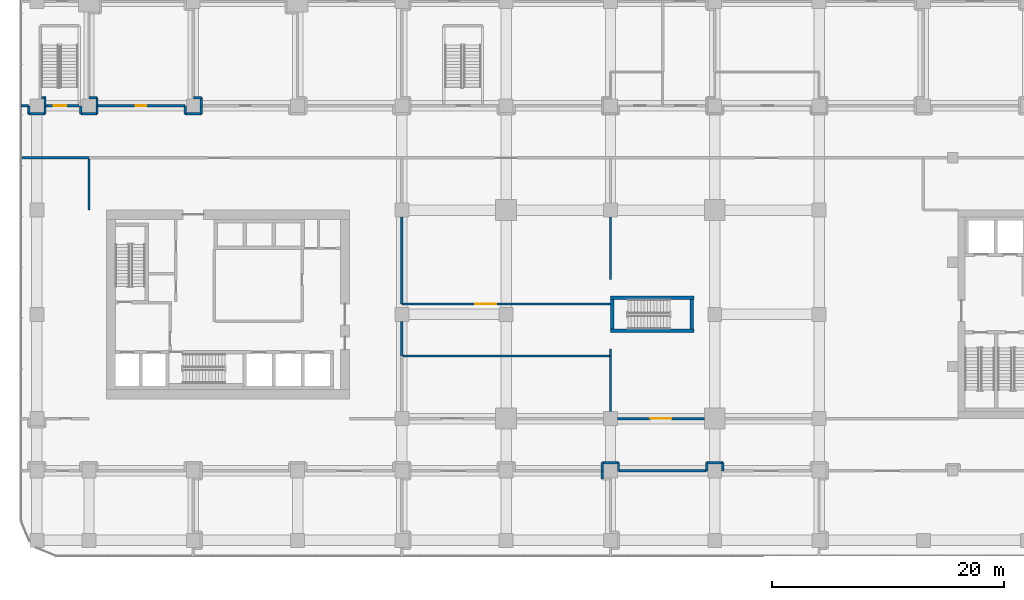
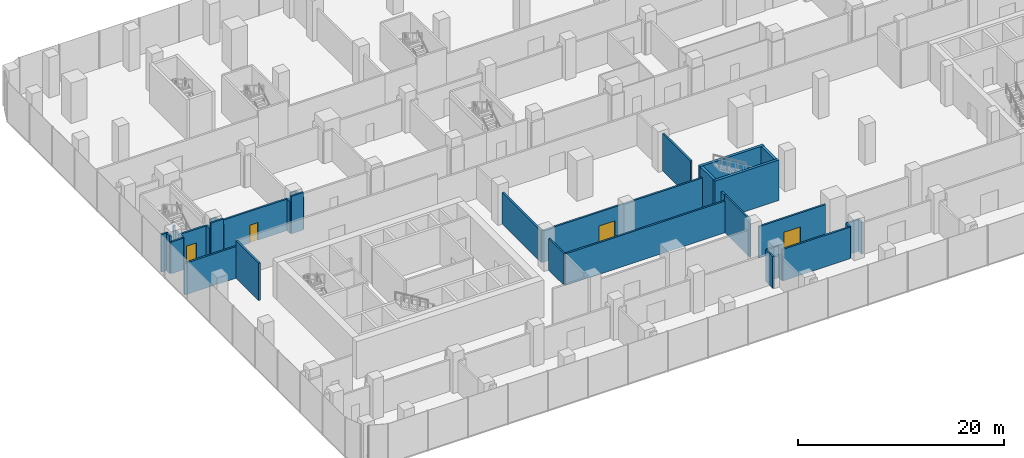
# One storey, part 30 of 42: 40 walls, 4 doors, 4 openings.
"""IFC4 building model written with IfcOpenShell, lengths in metres."""

from ifc_helpers import new_model, si_unit, direction, frame, frame_2d, origin, place, context, subcontext, project, spatial, rectangle, extrude, material, layer, layer_set, type_object, element, fill, save


model = new_model("IFC4")

# Units and contexts
model_context = context("Model", 3, precision=1e-05, world=origin(), true_north=direction((0.0, 1.0)))
body_context = subcontext(model_context, "Body", "Model", "MODEL_VIEW")
ifc_project = project(units=[si_unit("LENGTHUNIT", "METRE"), si_unit("AREAUNIT", "SQUARE_METRE"), si_unit("VOLUMEUNIT", "CUBIC_METRE"), si_unit("PLANEANGLEUNIT", "RADIAN"), si_unit("MASSUNIT", "GRAM", prefix="KILO")], contexts=[model_context])

# Site, building, storey
site_placement = place(None, origin())
site = spatial("IfcSite", under=ifc_project, at=site_placement, CompositionType="ELEMENT")
building_placement = place(site_placement, origin())
building = spatial("IfcBuilding", under=site, at=building_placement, Name="Plateau Cross Towers", CompositionType="ELEMENT")
storey_placement = place(building_placement, frame((0.0, 0.0, 8.0)))
storey = spatial("IfcBuildingStorey", under=building, at=storey_placement, Name="L01", CompositionType="ELEMENT", Elevation=8.0)

# Wall, opening, door
ifc_material_1 = material(Name="Gypsum board on steel studs", Category="steel")
ifc_layer_1 = layer(ifc_material_1, 0.199951171875)
ifc_layer_set_1 = layer_set([ifc_layer_1], Name="Gypsum board on steel studs")
wall_type_1 = type_object("IfcWallType", Name="Podium partition 200", PredefinedType="PARTITIONING", material=ifc_layer_set_1)
wall_1_placement = place(storey_placement, frame((45.60009765625, 0.0, 0.0), z_axis=(0.0, 0.0, 1.0), x_axis=(1.0, 0.0, 0.0)))
wall_1 = element("IfcWall", 1, at=wall_1_placement, inside=storey, type_object=wall_type_1, Name="Partition wall", PredefinedType="PARTITIONING", context=body_context, shape_type="SweptSolid", body=[
    extrude(rectangle(XDim=7.5, YDim=0.199951171875, at=frame_2d((3.75, 0.0))), origin(), (0.0, 0.0, 1.0), 3.75),
])
opening_1_placement = place(wall_1_placement, frame((2.85009765625, 0.0, 0.0)))
opening_1 = element("IfcOpeningElement", 2, at=opening_1_placement, cuts=wall_1, Name="Opening 01-26", PredefinedType="OPENING", context=body_context, shape_type="SweptSolid", body=[
    extrude(rectangle(XDim=1.800048828125, YDim=2.10009765625, at=frame_2d((0.89990234375, 1.050048828125))), frame((0.0, 0.10986328125, 0.0), z_axis=(0.0, -1.0, 0.0), x_axis=(1.0, 0.0, 0.0)), (0.0, 0.0, 1.0), 0.219970703125),
])
ifc_material_2 = material(Name="Aluminium frame, toughened glass", Category="aluminium")
door_type_1 = type_object("IfcDoorType", Name="Podium door pair 1800", OperationType="NOTDEFINED", PredefinedType="DOOR", material=ifc_material_2)
door_1_placement = place(opening_1_placement, origin())
door_1 = element("IfcDoor", 3, at=door_1_placement, inside=storey, type_object=door_type_1, Name="Door 01-26", OperationType="DOUBLE_DOOR_SINGLE_SWING", OverallHeight=2.10009765625, OverallWidth=1.800048828125, PredefinedType="DOOR", context=body_context, shape_type="SweptSolid", body=[
    extrude(rectangle(XDim=1.800048828125, YDim=2.10009765625, at=frame_2d((0.89990234375, 1.050048828125))), frame((0.0, 0.02490234375, 0.0), z_axis=(0.0, -1.0, 0.0), x_axis=(1.0, 0.0, 0.0)), (0.0, 0.0, 1.0), 0.050048828125),
])
fill(opening_1, door_1)

# Walls
wall_2_placement = place(storey_placement, frame((54.699951171875, -4.5, 0.0), z_axis=(0.0, 0.0, 1.0), x_axis=(0.0, 1.0, 0.0)))
element("IfcWall", 4, at=wall_2_placement, inside=storey, type_object=wall_type_1, Name="Partition wall", PredefinedType="PARTITIONING", context=body_context, shape_type="SweptSolid", body=[
    extrude(rectangle(XDim=0.699951171875, YDim=0.199951171875, at=frame_2d((0.35009765625, 0.0))), origin(), (0.0, 0.0, 1.0), 3.75),
])
wall_3_placement = place(storey_placement, frame((54.699951171875, -3.800048828125, 0.0), z_axis=(0.0, 0.0, 1.0), x_axis=(-1.0, 0.0, 0.0)))
element("IfcWall", 5, at=wall_3_placement, inside=storey, type_object=wall_type_1, Name="Partition wall", PredefinedType="PARTITIONING", context=body_context, shape_type="SweptSolid", body=[
    extrude(rectangle(XDim=1.39990234375, YDim=0.199951171875, at=frame_2d((0.699951171875, 0.0))), origin(), (0.0, 0.0, 1.0), 3.75),
])
wall_4_placement = place(storey_placement, frame((53.300048828125, -3.800048828125, 0.0), z_axis=(0.0, 0.0, 1.0), x_axis=(0.0, -1.0, 0.0)))
element("IfcWall", 6, at=wall_4_placement, inside=storey, type_object=wall_type_1, Name="Partition wall", PredefinedType="PARTITIONING", context=body_context, shape_type="SweptSolid", body=[
    extrude(rectangle(XDim=0.699951171875, YDim=0.199951171875, at=frame_2d((0.35009765625, 0.0))), origin(), (0.0, 0.0, 1.0), 3.75),
])
wall_5_placement = place(storey_placement, frame((53.300048828125, -4.5, 0.0), z_axis=(0.0, 0.0, 1.0), x_axis=(-1.0, 0.0, 0.0)))
element("IfcWall", 7, at=wall_5_placement, inside=storey, type_object=wall_type_1, Name="Partition wall", PredefinedType="PARTITIONING", context=body_context, shape_type="SweptSolid", body=[
    extrude(rectangle(XDim=7.60009765625, YDim=0.199951171875, at=frame_2d((3.800048828125, 0.0))), origin(), (0.0, 0.0, 1.0), 3.75),
])
wall_6_placement = place(storey_placement, frame((45.699951171875, -4.5, 0.0), z_axis=(0.0, 0.0, 1.0), x_axis=(0.0, 1.0, 0.0)))
element("IfcWall", 8, at=wall_6_placement, inside=storey, type_object=wall_type_1, Name="Partition wall", PredefinedType="PARTITIONING", context=body_context, shape_type="SweptSolid", body=[
    extrude(rectangle(XDim=0.699951171875, YDim=0.199951171875, at=frame_2d((0.35009765625, 0.0))), origin(), (0.0, 0.0, 1.0), 3.75),
])
wall_7_placement = place(storey_placement, frame((45.699951171875, -3.800048828125, 0.0), z_axis=(0.0, 0.0, 1.0), x_axis=(-1.0, 0.0, 0.0)))
element("IfcWall", 9, at=wall_7_placement, inside=storey, type_object=wall_type_1, Name="Partition wall", PredefinedType="PARTITIONING", context=body_context, shape_type="SweptSolid", body=[
    extrude(rectangle(XDim=1.39990234375, YDim=0.199951171875, at=frame_2d((0.699951171875, 0.0))), origin(), (0.0, 0.0, 1.0), 3.75),
])
wall_8_placement = place(storey_placement, frame((44.300048828125, -3.800048828125, 0.0), z_axis=(0.0, 0.0, 1.0), x_axis=(0.0, -1.0, 0.0)))
element("IfcWall", 10, at=wall_8_placement, inside=storey, type_object=wall_type_1, Name="Partition wall", PredefinedType="PARTITIONING", context=body_context, shape_type="SweptSolid", body=[
    extrude(rectangle(XDim=0.699951171875, YDim=0.199951171875, at=frame_2d((0.35009765625, 0.0))), origin(), (0.0, 0.0, 1.0), 3.75),
])

# Wall, opening, door
wall_9_placement = place(storey_placement, frame((27.0, 9.89990234375, 0.0), z_axis=(0.0, 0.0, 1.0), x_axis=(1.0, 0.0, 0.0)))
wall_9 = element("IfcWall", 11, at=wall_9_placement, inside=storey, type_object=wall_type_1, Name="Partition wall", PredefinedType="PARTITIONING", context=body_context, shape_type="SweptSolid", body=[
    extrude(rectangle(XDim=18.0, YDim=0.199951171875, at=frame_2d((9.0, 0.0))), origin(), (0.0, 0.0, 1.0), 3.75),
])
opening_2_placement = place(wall_9_placement, frame((6.35009765625, 0.0, 0.0)))
opening_2 = element("IfcOpeningElement", 12, at=opening_2_placement, cuts=wall_9, Name="Opening 01-37", PredefinedType="OPENING", context=body_context, shape_type="SweptSolid", body=[
    extrude(rectangle(XDim=1.800048828125, YDim=2.10009765625, at=frame_2d((0.89990234375, 1.050048828125))), frame((0.0, 0.10986328125, 0.0), z_axis=(0.0, -1.0, 0.0), x_axis=(1.0, 0.0, 0.0)), (0.0, 0.0, 1.0), 0.219970703125),
])
door_2_placement = place(opening_2_placement, origin())
door_2 = element("IfcDoor", 13, at=door_2_placement, inside=storey, type_object=door_type_1, Name="Door 01-37", OperationType="DOUBLE_DOOR_SINGLE_SWING", OverallHeight=2.10009765625, OverallWidth=1.800048828125, PredefinedType="DOOR", context=body_context, shape_type="SweptSolid", body=[
    extrude(rectangle(XDim=1.800048828125, YDim=2.10009765625, at=frame_2d((0.89990234375, 1.050048828125))), frame((0.0, 0.02490234375, 0.0), z_axis=(0.0, -1.0, 0.0), x_axis=(1.0, 0.0, 0.0)), (0.0, 0.0, 1.0), 0.050048828125),
])
fill(opening_2, door_2)

# Walls
wall_10_placement = place(storey_placement, frame((45.0, 5.39990234375, 0.0), z_axis=(0.0, 0.0, 1.0), x_axis=(-1.0, 0.0, 0.0)))
element("IfcWall", 14, at=wall_10_placement, inside=storey, type_object=wall_type_1, Name="Partition wall", PredefinedType="PARTITIONING", context=body_context, shape_type="SweptSolid", body=[
    extrude(rectangle(XDim=18.0, YDim=0.199951171875, at=frame_2d((9.0, 0.0))), origin(), (0.0, 0.0, 1.0), 3.75),
])
wall_11_placement = place(storey_placement, frame((27.0, 17.39990234375, 0.0), z_axis=(0.0, 0.0, 1.0), x_axis=(0.0, -1.0, 0.0)))
element("IfcWall", 15, at=wall_11_placement, inside=storey, type_object=wall_type_1, Name="Partition wall", PredefinedType="PARTITIONING", context=body_context, shape_type="SweptSolid", body=[
    extrude(rectangle(XDim=7.5, YDim=0.199951171875, at=frame_2d((3.75, 0.0))), origin(), (0.0, 0.0, 1.0), 3.75),
])
for number, where, z_axis, x_axis, name in (
    (16, (0.0, 27.699951171875, 0.0), (0.0, 0.0, 1.0), (1.0, 0.0, 0.0), "Partition wall"),
    (17, (0.699951171875, 27.699951171875, 0.0), (0.0, 0.0, 1.0), (0.0, -1.0, 0.0), "Partition wall"),
):
    element("IfcWall", number, at=place(storey_placement, frame(where, z_axis=z_axis, x_axis=x_axis)), inside=storey, type_object=wall_type_1, Name=name, PredefinedType="PARTITIONING", context=body_context, shape_type="SweptSolid", body=[
        extrude(rectangle(XDim=0.699951171875, YDim=0.199951171875, at=frame_2d((0.35009765625, 0.0))), origin(), (0.0, 0.0, 1.0), 3.75),
    ])
wall_12_placement = place(storey_placement, frame((45.0, 17.39990234375, 0.0), z_axis=(0.0, 0.0, 1.0), x_axis=(0.0, -1.0, 0.0)))
element("IfcWall", 18, at=wall_12_placement, inside=storey, type_object=wall_type_1, Name="Partition wall", PredefinedType="PARTITIONING", context=body_context, shape_type="SweptSolid", body=[
    extrude(rectangle(XDim=5.39990234375, YDim=0.199951171875, at=frame_2d((2.699951171875, 0.0))), origin(), (0.0, 0.0, 1.0), 4.449951171875),
])

# Wall, opening, door
wall_13_placement = place(storey_placement, frame((0.699951171875, 27.0, 0.0), z_axis=(0.0, 0.0, 1.0), x_axis=(1.0, 0.0, 0.0)))
wall_13 = element("IfcWall", 19, at=wall_13_placement, inside=storey, type_object=wall_type_1, Name="Partition wall", PredefinedType="PARTITIONING", context=body_context, shape_type="SweptSolid", body=[
    extrude(rectangle(XDim=7.60009765625, YDim=0.199951171875, at=frame_2d((3.800048828125, 0.0))), origin(), (0.0, 0.0, 1.0), 3.75),
])
opening_3_placement = place(wall_13_placement, frame((3.35009765625, 0.0, 0.0)))
opening_3 = element("IfcOpeningElement", 20, at=opening_3_placement, cuts=wall_13, Name="Opening 01-14", PredefinedType="OPENING", context=body_context, shape_type="SweptSolid", body=[
    extrude(rectangle(XDim=0.89990234375, YDim=2.10009765625, at=frame_2d((0.449951171875, 1.050048828125))), frame((0.0, 0.10986328125, 0.0), z_axis=(0.0, -1.0, 0.0), x_axis=(1.0, 0.0, 0.0)), (0.0, 0.0, 1.0), 0.219970703125),
])
ifc_material_3 = material(Name="Timber leaf", Category="wood")
door_type_2 = type_object("IfcDoorType", Name="Podium room door 900", OperationType="NOTDEFINED", PredefinedType="DOOR", material=ifc_material_3)
door_3_placement = place(opening_3_placement, origin())
door_3 = element("IfcDoor", 21, at=door_3_placement, inside=storey, type_object=door_type_2, Name="Door 01-14", OperationType="SINGLE_SWING_LEFT", OverallHeight=2.10009765625, OverallWidth=0.89990234375, PredefinedType="DOOR", context=body_context, shape_type="SweptSolid", body=[
    extrude(rectangle(XDim=0.89990234375, YDim=2.10009765625, at=frame_2d((0.449951171875, 1.050048828125))), frame((0.0, 0.02490234375, 0.0), z_axis=(0.0, -1.0, 0.0), x_axis=(1.0, 0.0, 0.0)), (0.0, 0.0, 1.0), 0.050048828125),
])
fill(opening_3, door_3)

# Walls
wall_14_placement = place(storey_placement, frame((8.300048828125, 27.0, 0.0), z_axis=(0.0, 0.0, 1.0), x_axis=(0.0, -1.0, 0.0)))
element("IfcWall", 22, at=wall_14_placement, inside=storey, type_object=wall_type_1, Name="Partition wall", PredefinedType="PARTITIONING", context=body_context, shape_type="SweptSolid", body=[
    extrude(rectangle(XDim=0.699951171875, YDim=0.199951171875, at=frame_2d((0.35009765625, 0.0))), origin(), (0.0, 0.0, 1.0), 3.75),
])
wall_15_placement = place(storey_placement, frame((8.300048828125, 26.300048828125, 0.0), z_axis=(0.0, 0.0, 1.0), x_axis=(1.0, 0.0, 0.0)))
element("IfcWall", 23, at=wall_15_placement, inside=storey, type_object=wall_type_1, Name="Partition wall", PredefinedType="PARTITIONING", context=body_context, shape_type="SweptSolid", body=[
    extrude(rectangle(XDim=1.39990234375, YDim=0.199951171875, at=frame_2d((0.699951171875, 0.0))), origin(), (0.0, 0.0, 1.0), 4.449951171875),
])
for number, where, z_axis, x_axis, name in (
    (24, (9.699951171875, 26.300048828125, 0.0), (0.0, 0.0, 1.0), (0.0, 1.0, 0.0), "Partition wall"),
    (25, (44.300048828125, -4.5, 0.0), (0.0, 0.0, 1.0), (0.0, -1.0, 0.0), "Partition wall"),
):
    element("IfcWall", number, at=place(storey_placement, frame(where, z_axis=z_axis, x_axis=x_axis)), inside=storey, type_object=wall_type_1, Name=name, PredefinedType="PARTITIONING", context=body_context, shape_type="SweptSolid", body=[
        extrude(rectangle(XDim=0.699951171875, YDim=0.199951171875, at=frame_2d((0.35009765625, 0.0))), origin(), (0.0, 0.0, 1.0), 3.75),
    ])
wall_16_placement = place(storey_placement, frame((0.0, 22.5, 0.0), z_axis=(0.0, 0.0, 1.0), x_axis=(-1.0, 0.0, 0.0)))
element("IfcWall", 26, at=wall_16_placement, inside=storey, type_object=wall_type_1, Name="Partition wall", PredefinedType="PARTITIONING", context=body_context, shape_type="SweptSolid", body=[
    extrude(rectangle(XDim=5.85009765625, YDim=0.199951171875, at=frame_2d((2.925048828125, 0.0))), origin(), (0.0, 0.0, 1.0), 3.75),
])
wall_17_placement = place(storey_placement, frame((45.0, 5.39990234375, 0.0), z_axis=(0.0, 0.0, 1.0), x_axis=(0.0, -1.0, 0.0)))
element("IfcWall", 27, at=wall_17_placement, inside=storey, type_object=wall_type_1, Name="Partition wall", PredefinedType="PARTITIONING", context=body_context, shape_type="SweptSolid", body=[
    extrude(rectangle(XDim=4.7998046875, YDim=0.199951171875, at=frame_2d((2.39990234375, 0.0))), origin(), (0.0, 0.0, 1.0), 4.449951171875),
])
wall_18_placement = place(storey_placement, frame((27.0, 8.39990234375, 0.0), z_axis=(0.0, 0.0, 1.0), x_axis=(0.0, -1.0, 0.0)))
element("IfcWall", 28, at=wall_18_placement, inside=storey, type_object=wall_type_1, Name="Partition wall", PredefinedType="PARTITIONING", context=body_context, shape_type="SweptSolid", body=[
    extrude(rectangle(XDim=3.0, YDim=0.199951171875, at=frame_2d((1.5, 0.0))), origin(), (0.0, 0.0, 1.0), 3.75),
])
wall_19_placement = place(storey_placement, frame((0.0, 18.0, 0.0), z_axis=(0.0, 0.0, 1.0), x_axis=(0.0, 1.0, 0.0)))
element("IfcWall", 29, at=wall_19_placement, inside=storey, type_object=wall_type_1, Name="Partition wall", PredefinedType="PARTITIONING", context=body_context, shape_type="SweptSolid", body=[
    extrude(rectangle(XDim=4.39990234375, YDim=0.199951171875, at=frame_2d((2.199951171875, 0.0))), origin(), (0.0, 0.0, 1.0), 4.449951171875),
])
wall_20_placement = place(storey_placement, frame((-5.85009765625, 27.0, 0.0), z_axis=(0.0, 0.0, 1.0), x_axis=(1.0, 0.0, 0.0)))
element("IfcWall", 30, at=wall_20_placement, inside=storey, type_object=wall_type_1, Name="Partition wall", PredefinedType="PARTITIONING", context=body_context, shape_type="SweptSolid", body=[
    extrude(rectangle(XDim=0.650146484375, YDim=0.199951171875, at=frame_2d((0.3251953125, 0.0))), origin(), (0.0, 0.0, 1.0), 4.449951171875),
])
wall_21_placement = place(storey_placement, frame((-5.199951171875, 27.0, 0.0), z_axis=(0.0, 0.0, 1.0), x_axis=(0.0, -1.0, 0.0)))
element("IfcWall", 31, at=wall_21_placement, inside=storey, type_object=wall_type_1, Name="Partition wall", PredefinedType="PARTITIONING", context=body_context, shape_type="SweptSolid", body=[
    extrude(rectangle(XDim=0.699951171875, YDim=0.199951171875, at=frame_2d((0.35009765625, 0.0))), origin(), (0.0, 0.0, 1.0), 4.449951171875),
])
wall_22_placement = place(storey_placement, frame((-5.199951171875, 26.300048828125, 0.0), z_axis=(0.0, 0.0, 1.0), x_axis=(1.0, 0.0, 0.0)))
element("IfcWall", 32, at=wall_22_placement, inside=storey, type_object=wall_type_1, Name="Partition wall", PredefinedType="PARTITIONING", context=body_context, shape_type="SweptSolid", body=[
    extrude(rectangle(XDim=1.39990234375, YDim=0.199951171875, at=frame_2d((0.699951171875, 0.0))), origin(), (0.0, 0.0, 1.0), 3.75),
])
for number, where, z_axis, x_axis, name in (
    (33, (-3.800048828125, 26.300048828125, 0.0), (0.0, 0.0, 1.0), (0.0, 1.0, 0.0), "Partition wall"),
    (34, (-0.699951171875, 27.0, 0.0), (0.0, 0.0, 1.0), (0.0, -1.0, 0.0), "Partition wall"),
):
    element("IfcWall", number, at=place(storey_placement, frame(where, z_axis=z_axis, x_axis=x_axis)), inside=storey, type_object=wall_type_1, Name=name, PredefinedType="PARTITIONING", context=body_context, shape_type="SweptSolid", body=[
        extrude(rectangle(XDim=0.699951171875, YDim=0.199951171875, at=frame_2d((0.35009765625, 0.0))), origin(), (0.0, 0.0, 1.0), 3.75),
    ])
wall_23_placement = place(storey_placement, frame((-0.699951171875, 26.300048828125, 0.0), z_axis=(0.0, 0.0, 1.0), x_axis=(1.0, 0.0, 0.0)))
element("IfcWall", 35, at=wall_23_placement, inside=storey, type_object=wall_type_1, Name="Partition wall", PredefinedType="PARTITIONING", context=body_context, shape_type="SweptSolid", body=[
    extrude(rectangle(XDim=1.39990234375, YDim=0.199951171875, at=frame_2d((0.699951171875, 0.0))), origin(), (0.0, 0.0, 1.0), 4.449951171875),
])
for number, where, z_axis, x_axis, name in (
    (36, (9.0, 27.699951171875, 0.0), (0.0, 0.0, 1.0), (1.0, 0.0, 0.0), "Partition wall"),
    (37, (9.699951171875, 27.699951171875, 0.0), (0.0, 0.0, 1.0), (0.0, -1.0, 0.0), "Partition wall"),
    (38, (0.699951171875, 26.300048828125, 0.0), (0.0, 0.0, 1.0), (0.0, 1.0, 0.0), "Partition wall"),
):
    element("IfcWall", number, at=place(storey_placement, frame(where, z_axis=z_axis, x_axis=x_axis)), inside=storey, type_object=wall_type_1, Name=name, PredefinedType="PARTITIONING", context=body_context, shape_type="SweptSolid", body=[
        extrude(rectangle(XDim=0.699951171875, YDim=0.199951171875, at=frame_2d((0.35009765625, 0.0))), origin(), (0.0, 0.0, 1.0), 3.75),
    ])
wall_24_placement = place(storey_placement, frame((45.0, 6.0, 0.0), z_axis=(0.0, 0.0, 1.0), x_axis=(0.0, -1.0, 0.0)))
element("IfcWall", 39, at=wall_24_placement, inside=storey, type_object=wall_type_1, Name="Partition wall", PredefinedType="PARTITIONING", context=body_context, shape_type="SweptSolid", body=[
    extrude(rectangle(XDim=0.60009765625, YDim=0.199951171875, at=frame_2d((0.300048828125, 0.0))), origin(), (0.0, 0.0, 1.0), 4.449951171875),
])
ifc_material_4 = material(Name="Fire-rated plasterboard shaft wall system")
ifc_layer_2 = layer(ifc_material_4, 0.199951171875)
ifc_layer_set_2 = layer_set([ifc_layer_2], Name="Fire-rated plasterboard shaft wall system")
wall_type_2 = type_object("IfcWallType", Name="Podium stair shaft wall 200", PredefinedType="PARTITIONING", material=ifc_layer_set_2)
wall_25_placement = place(storey_placement, frame((-3.800048828125, 27.0, 0.0), z_axis=(0.0, 0.0, 1.0), x_axis=(0.0, 1.0, 0.0)))
element("IfcWall", 40, at=wall_25_placement, inside=storey, type_object=wall_type_2, Name="Partition wall", PredefinedType="PARTITIONING", context=body_context, shape_type="SweptSolid", body=[
    extrude(rectangle(XDim=0.800048828125, YDim=0.199951171875, at=frame_2d((0.39990234375, 0.0))), origin(), (0.0, 0.0, 1.0), 3.75),
])
wall_26_placement = place(storey_placement, frame((-3.89990234375, 27.699951171875, 0.0), z_axis=(0.0, 0.0, 1.0), x_axis=(-1.0, 0.0, 0.0)))
element("IfcWall", 41, at=wall_26_placement, inside=storey, type_object=wall_type_2, Name="Partition wall", PredefinedType="PARTITIONING", context=body_context, shape_type="SweptSolid", body=[
    extrude(rectangle(XDim=0.2001953125, YDim=0.199951171875, at=frame_2d((0.10009765625, 0.0))), origin(), (0.0, 0.0, 1.0), 4.449951171875),
])

# Wall, opening, door
wall_27_placement = place(storey_placement, frame((-0.85009765625, 27.0, 0.0), z_axis=(0.0, 0.0, 1.0), x_axis=(-1.0, 0.0, 0.0)))
wall_27 = element("IfcWall", 42, at=wall_27_placement, inside=storey, type_object=wall_type_2, Name="Partition wall", PredefinedType="PARTITIONING", context=body_context, shape_type="SweptSolid", body=[
    extrude(rectangle(XDim=2.849853515625, YDim=0.199951171875, at=frame_2d((1.4248046875, 0.0))), origin(), (0.0, 0.0, 1.0), 3.75),
])
opening_4_placement = place(wall_27_placement, frame((1.10009765625, 0.0, 0.0)))
opening_4 = element("IfcOpeningElement", 43, at=opening_4_placement, cuts=wall_27, Name="Opening 01-04", PredefinedType="OPENING", context=body_context, shape_type="SweptSolid", body=[
    extrude(rectangle(XDim=1.10009765625, YDim=2.10009765625, at=frame_2d((0.550048828125, 1.050048828125))), frame((0.0, 0.10986328125, 0.0), z_axis=(0.0, -1.0, 0.0), x_axis=(1.0, 0.0, 0.0)), (0.0, 0.0, 1.0), 0.219970703125),
])
ifc_material_5 = material(Name="Steel, fire-resisting leaf", Category="steel")
door_type_3 = type_object("IfcDoorType", Name="Podium stair door 1100", OperationType="NOTDEFINED", PredefinedType="DOOR", material=ifc_material_5)
door_4_placement = place(opening_4_placement, origin())
door_4 = element("IfcDoor", 44, at=door_4_placement, inside=storey, type_object=door_type_3, Name="Door 01-04", OperationType="SINGLE_SWING_LEFT", OverallHeight=2.10009765625, OverallWidth=1.10009765625, PredefinedType="DOOR", context=body_context, shape_type="SweptSolid", body=[
    extrude(rectangle(XDim=1.10009765625, YDim=2.10009765625, at=frame_2d((0.550048828125, 1.050048828125))), frame((0.0, 0.02490234375, 0.0), z_axis=(0.0, -1.0, 0.0), x_axis=(1.0, 0.0, 0.0)), (0.0, 0.0, 1.0), 0.050048828125),
])
fill(opening_4, door_4)

# Walls
ifc_material_6 = material(Name="Concrete C60/75", Category="concrete")
ifc_layer_3 = layer(ifc_material_6, 0.300048828125)
ifc_layer_set_3 = layer_set([ifc_layer_3], Name="Concrete C60/75")
wall_type_3 = type_object("IfcWallType", Name="Stair tower wall 300", PredefinedType="SHEAR", material=ifc_layer_set_3)
for number, where, z_axis, x_axis, name in (
    (45, (45.14990234375, 7.72509765625, 0.0), (0.0, 0.0, 1.0), (0.0, 1.0, 0.0), "A-end-E-W@L01"),
    (46, (52.0, 7.72509765625, 0.0), (0.0, 0.0, 1.0), (0.0, 1.0, 0.0), "A-end-E-E@L01"),
):
    element("IfcWall", number, at=place(storey_placement, frame(where, z_axis=z_axis, x_axis=x_axis)), inside=storey, type_object=wall_type_3, Name=name, PredefinedType="SHEAR", context=body_context, shape_type="SweptSolid", body=[
        extrude(rectangle(XDim=2.5498046875, YDim=0.300048828125, at=frame_2d((1.27490234375, 0.0))), origin(), (0.0, 0.0, 1.0), 4.800048828125),
    ])
for number, where, z_axis, x_axis, name in (
    (47, (45.0, 7.574951171875, 0.0), (0.0, 0.0, 1.0), (1.0, 0.0, 0.0), "A-end-E-S@L01"),
    (48, (45.0, 10.425048828125, 0.0), (0.0, 0.0, 1.0), (1.0, 0.0, 0.0), "A-end-E-N@L01"),
):
    element("IfcWall", number, at=place(storey_placement, frame(where, z_axis=z_axis, x_axis=x_axis)), inside=storey, type_object=wall_type_3, Name=name, PredefinedType="SHEAR", context=body_context, shape_type="SweptSolid", body=[
        extrude(rectangle(XDim=7.199951171875, YDim=0.300048828125, at=frame_2d((3.60009765625, 0.0))), origin(), (0.0, 0.0, 1.0), 4.800048828125),
    ])

save(model, "model.ifc")
